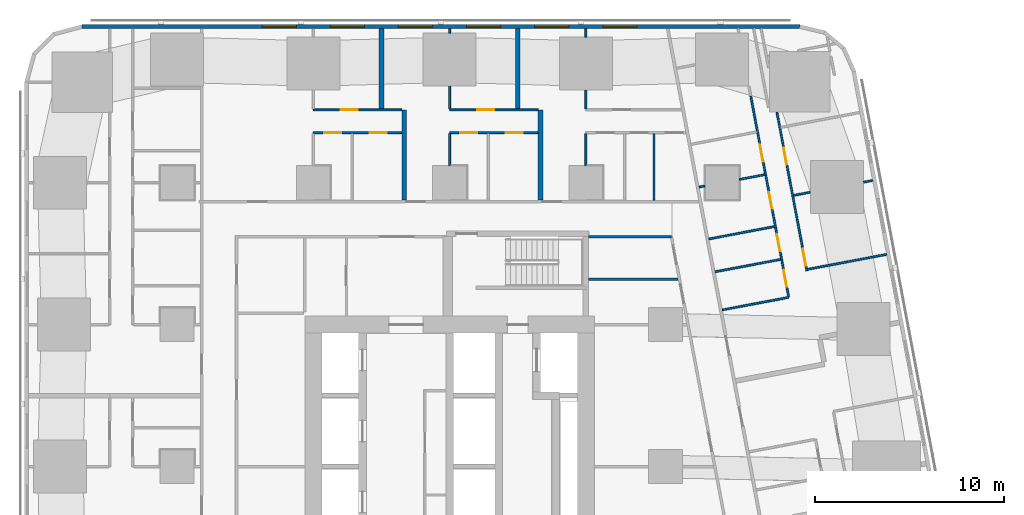
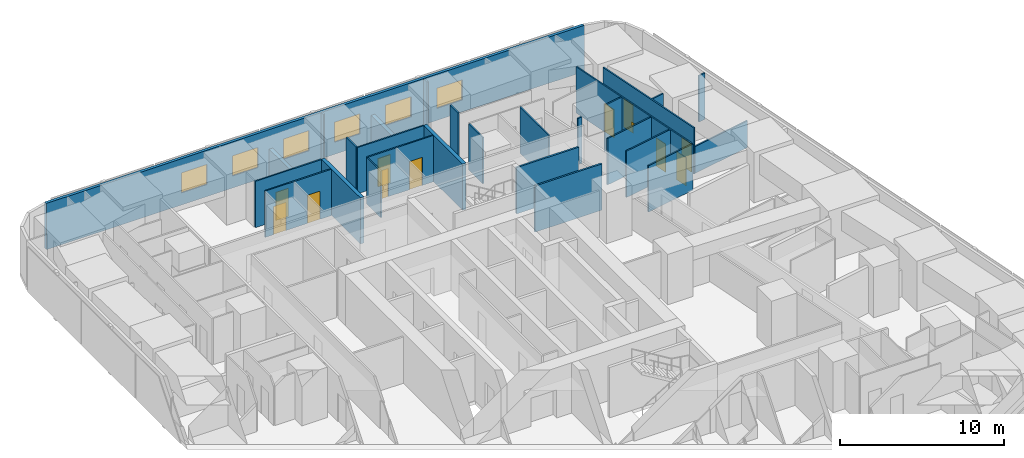
# One storey, part 9 of 15: 28 walls, 12 doors, 6 windows, 18 openings.
"""IFC4 building model written with IfcOpenShell, lengths in metres."""

from ifc_helpers import new_model, si_unit, direction, frame, frame_2d, origin, place, context, subcontext, project, spatial, rectangle, extrude, material, layer, layer_set, type_object, element, fill, save


model = new_model("IFC4")

# Units and contexts
model_context = context("Model", 3, precision=1e-05, world=origin(), true_north=direction((0.0, 1.0)))
body_context = subcontext(model_context, "Body", "Model", "MODEL_VIEW")
ifc_project = project(units=[si_unit("LENGTHUNIT", "METRE"), si_unit("AREAUNIT", "SQUARE_METRE"), si_unit("VOLUMEUNIT", "CUBIC_METRE"), si_unit("PLANEANGLEUNIT", "RADIAN"), si_unit("MASSUNIT", "GRAM", prefix="KILO")], contexts=[model_context])

# Site, building, storey
site_placement = place(None, origin())
site = spatial("IfcSite", under=ifc_project, at=site_placement, CompositionType="ELEMENT")
building_placement = place(site_placement, origin())
building = spatial("IfcBuilding", under=site, at=building_placement, Name="Sheger Commons Tower", CompositionType="ELEMENT")
storey_placement = place(building_placement, frame((0.0, 0.0, 68.75)))
storey = spatial("IfcBuildingStorey", under=building, at=storey_placement, Name="L17", CompositionType="ELEMENT", Elevation=68.75)

# Walls
ifc_material_1 = material(Name="Dense concrete block masonry, plastered both sides (separating wall between flats)", Category="masonry")
ifc_layer_1 = layer(ifc_material_1, 0.25)
ifc_layer_set_1 = layer_set([ifc_layer_1], Name="DEMISING WALL 250")
wall_type_1 = type_object("IfcWallType", Name="DEMISING WALL 250", PredefinedType="SOLIDWALL", material=ifc_layer_set_1)
wall_1_placement = place(storey_placement, frame((18.0, 41.39990234375, 0.0), z_axis=(0.0, 0.0, 1.0), x_axis=(0.0, 1.0, 0.0)))
element("IfcWall", 1, at=wall_1_placement, inside=storey, type_object=wall_type_1, Name="Demising wall L17", PredefinedType="SOLIDWALL", context=body_context, shape_type="SweptSolid", body=[
    extrude(rectangle(XDim=4.25, YDim=0.25, at=frame_2d((2.125, 0.0))), origin(), (0.0, 0.0, 1.0), 2.0),
])
wall_2_placement = place(storey_placement, frame((19.198974609375, 36.574951171875, 0.0), z_axis=(0.0, 0.0, 1.0), x_axis=(0.0, 1.0, 0.0)))
element("IfcWall", 2, at=wall_2_placement, inside=storey, type_object=wall_type_1, Name="Demising wall L17", PredefinedType="SOLIDWALL", context=body_context, shape_type="SweptSolid", body=[
    extrude(rectangle(XDim=4.775146484375, YDim=0.25, at=frame_2d((2.3876953125, 0.0))), origin(), (0.0, 0.0, 1.0), 3.449951171875),
])
wall_3_placement = place(storey_placement, frame((25.199951171875, 41.39990234375, 0.0), z_axis=(0.0, 0.0, 1.0), x_axis=(0.0, 1.0, 0.0)))
element("IfcWall", 3, at=wall_3_placement, inside=storey, type_object=wall_type_1, Name="Demising wall L17", PredefinedType="SOLIDWALL", context=body_context, shape_type="SweptSolid", body=[
    extrude(rectangle(XDim=4.25, YDim=0.25, at=frame_2d((2.125, 0.0))), origin(), (0.0, 0.0, 1.0), 2.0),
])
wall_4_placement = place(storey_placement, frame((26.39892578125, 36.574951171875, 0.0), z_axis=(0.0, 0.0, 1.0), x_axis=(0.0, 1.0, 0.0)))
element("IfcWall", 4, at=wall_4_placement, inside=storey, type_object=wall_type_1, Name="Demising wall L17", PredefinedType="SOLIDWALL", context=body_context, shape_type="SweptSolid", body=[
    extrude(rectangle(XDim=4.775146484375, YDim=0.25, at=frame_2d((2.3876953125, 0.0))), origin(), (0.0, 0.0, 1.0), 3.449951171875),
])

# Wall, openings, windows
ifc_material_2 = material(Name="Rendered concrete block masonry, dark grey", Category="masonry")
ifc_layer_2 = layer(ifc_material_2, 0.199951171875)
ifc_layer_set_2 = layer_set([ifc_layer_2], Name="FACADE WALL 200")
wall_type_2 = type_object("IfcWallType", Name="FACADE WALL 200", PredefinedType="SOLIDWALL", material=ifc_layer_set_2)
wall_5_placement = place(storey_placement, frame((40.10595703125, 45.75, 0.0), z_axis=(0.0, 0.0, 1.0), x_axis=(-1.0, 0.0, 0.0)))
wall_5 = element("IfcWall", 5, at=wall_5_placement, inside=storey, type_object=wall_type_2, Name="Facade wall L17", PredefinedType="SOLIDWALL", context=body_context, shape_type="SweptSolid", body=[
    extrude(rectangle(XDim=37.94287109375, YDim=0.199951171875, at=frame_2d((18.971435546875, 0.0))), origin(), (0.0, 0.0, 1.0), 3.449951171875),
])
opening_1_placement = place(wall_5_placement, frame((8.60595703125, 0.0, 0.89990234375)))
opening_1 = element("IfcOpeningElement", 6, at=opening_1_placement, cuts=wall_5, Name="Opening W2", PredefinedType="OPENING", context=body_context, shape_type="SweptSolid", body=[
    extrude(rectangle(XDim=1.800048828125, YDim=1.5, at=frame_2d((0.89990234375, 0.75))), frame((0.0, 0.10986328125, 0.0), z_axis=(0.0, -1.0, 0.0), x_axis=(1.0, 0.0, 0.0)), (0.0, 0.0, 1.0), 0.219970703125),
])
opening_2_placement = place(wall_5_placement, frame((12.2060546875, 0.0, 0.89990234375)))
opening_2 = element("IfcOpeningElement", 7, at=opening_2_placement, cuts=wall_5, Name="Opening W2", PredefinedType="OPENING", context=body_context, shape_type="SweptSolid", body=[
    extrude(rectangle(XDim=1.800048828125, YDim=1.5, at=frame_2d((0.89990234375, 0.75))), frame((0.0, 0.10986328125, 0.0), z_axis=(0.0, -1.0, 0.0), x_axis=(1.0, 0.0, 0.0)), (0.0, 0.0, 1.0), 0.219970703125),
])
opening_3_placement = place(wall_5_placement, frame((15.805908203125, 0.0, 0.89990234375)))
opening_3 = element("IfcOpeningElement", 8, at=opening_3_placement, cuts=wall_5, Name="Opening W2", PredefinedType="OPENING", context=body_context, shape_type="SweptSolid", body=[
    extrude(rectangle(XDim=1.800048828125, YDim=1.5, at=frame_2d((0.89990234375, 0.75))), frame((0.0, 0.10986328125, 0.0), z_axis=(0.0, -1.0, 0.0), x_axis=(1.0, 0.0, 0.0)), (0.0, 0.0, 1.0), 0.219970703125),
])
opening_4_placement = place(wall_5_placement, frame((19.406005859375, 0.0, 0.89990234375)))
opening_4 = element("IfcOpeningElement", 9, at=opening_4_placement, cuts=wall_5, Name="Opening W2", PredefinedType="OPENING", context=body_context, shape_type="SweptSolid", body=[
    extrude(rectangle(XDim=1.800048828125, YDim=1.5, at=frame_2d((0.89990234375, 0.75))), frame((0.0, 0.10986328125, 0.0), z_axis=(0.0, -1.0, 0.0), x_axis=(1.0, 0.0, 0.0)), (0.0, 0.0, 1.0), 0.219970703125),
])
opening_5_placement = place(wall_5_placement, frame((23.006103515625, 0.0, 0.89990234375)))
opening_5 = element("IfcOpeningElement", 10, at=opening_5_placement, cuts=wall_5, Name="Opening W2", PredefinedType="OPENING", context=body_context, shape_type="SweptSolid", body=[
    extrude(rectangle(XDim=1.800048828125, YDim=1.5, at=frame_2d((0.89990234375, 0.75))), frame((0.0, 0.10986328125, 0.0), z_axis=(0.0, -1.0, 0.0), x_axis=(1.0, 0.0, 0.0)), (0.0, 0.0, 1.0), 0.219970703125),
])
opening_6_placement = place(wall_5_placement, frame((26.60595703125, 0.0, 0.89990234375)))
opening_6 = element("IfcOpeningElement", 11, at=opening_6_placement, cuts=wall_5, Name="Opening W2", PredefinedType="OPENING", context=body_context, shape_type="SweptSolid", body=[
    extrude(rectangle(XDim=1.800048828125, YDim=1.5, at=frame_2d((0.89990234375, 0.75))), frame((0.0, 0.10986328125, 0.0), z_axis=(0.0, -1.0, 0.0), x_axis=(1.0, 0.0, 0.0)), (0.0, 0.0, 1.0), 0.219970703125),
])
ifc_material_3 = material(Name="Black aluminium frame, dark tinted double glazing", Category="aluminium")
window_type = type_object("IfcWindowType", Name="WINDOW W2 1800x1500", PartitioningType="SINGLE_PANEL", PredefinedType="WINDOW", material=ifc_material_3)
window_1_placement = place(opening_1_placement, origin())
window_1 = element("IfcWindow", 12, at=window_1_placement, inside=storey, type_object=window_type, Name="Window W2 1800X1500", OverallHeight=1.5, OverallWidth=1.800048828125, PartitioningType="SINGLE_PANEL", PredefinedType="WINDOW", context=body_context, shape_type="SweptSolid", body=[
    extrude(rectangle(XDim=1.800048828125, YDim=1.5, at=frame_2d((0.89990234375, 0.75))), frame((0.0, 0.030029296875, 0.0), z_axis=(0.0, -1.0, 0.0), x_axis=(1.0, 0.0, 0.0)), (0.0, 0.0, 1.0), 0.06005859375),
])
fill(opening_1, window_1)
window_2_placement = place(opening_2_placement, origin())
window_2 = element("IfcWindow", 13, at=window_2_placement, inside=storey, type_object=window_type, Name="Window W2 1800X1500", OverallHeight=1.5, OverallWidth=1.800048828125, PartitioningType="SINGLE_PANEL", PredefinedType="WINDOW", context=body_context, shape_type="SweptSolid", body=[
    extrude(rectangle(XDim=1.800048828125, YDim=1.5, at=frame_2d((0.89990234375, 0.75))), frame((0.0, 0.030029296875, 0.0), z_axis=(0.0, -1.0, 0.0), x_axis=(1.0, 0.0, 0.0)), (0.0, 0.0, 1.0), 0.06005859375),
])
fill(opening_2, window_2)
window_3_placement = place(opening_3_placement, origin())
window_3 = element("IfcWindow", 14, at=window_3_placement, inside=storey, type_object=window_type, Name="Window W2 1800X1500", OverallHeight=1.5, OverallWidth=1.800048828125, PartitioningType="SINGLE_PANEL", PredefinedType="WINDOW", context=body_context, shape_type="SweptSolid", body=[
    extrude(rectangle(XDim=1.800048828125, YDim=1.5, at=frame_2d((0.89990234375, 0.75))), frame((0.0, 0.030029296875, 0.0), z_axis=(0.0, -1.0, 0.0), x_axis=(1.0, 0.0, 0.0)), (0.0, 0.0, 1.0), 0.06005859375),
])
fill(opening_3, window_3)
window_4_placement = place(opening_4_placement, origin())
window_4 = element("IfcWindow", 15, at=window_4_placement, inside=storey, type_object=window_type, Name="Window W2 1800X1500", OverallHeight=1.5, OverallWidth=1.800048828125, PartitioningType="SINGLE_PANEL", PredefinedType="WINDOW", context=body_context, shape_type="SweptSolid", body=[
    extrude(rectangle(XDim=1.800048828125, YDim=1.5, at=frame_2d((0.89990234375, 0.75))), frame((0.0, 0.030029296875, 0.0), z_axis=(0.0, -1.0, 0.0), x_axis=(1.0, 0.0, 0.0)), (0.0, 0.0, 1.0), 0.06005859375),
])
fill(opening_4, window_4)
window_5_placement = place(opening_5_placement, origin())
window_5 = element("IfcWindow", 16, at=window_5_placement, inside=storey, type_object=window_type, Name="Window W2 1800X1500", OverallHeight=1.5, OverallWidth=1.800048828125, PartitioningType="SINGLE_PANEL", PredefinedType="WINDOW", context=body_context, shape_type="SweptSolid", body=[
    extrude(rectangle(XDim=1.800048828125, YDim=1.5, at=frame_2d((0.89990234375, 0.75))), frame((0.0, 0.030029296875, 0.0), z_axis=(0.0, -1.0, 0.0), x_axis=(1.0, 0.0, 0.0)), (0.0, 0.0, 1.0), 0.06005859375),
])
fill(opening_5, window_5)
window_6_placement = place(opening_6_placement, origin())
window_6 = element("IfcWindow", 17, at=window_6_placement, inside=storey, type_object=window_type, Name="Window W2 1800X1500", OverallHeight=1.5, OverallWidth=1.800048828125, PartitioningType="SINGLE_PANEL", PredefinedType="WINDOW", context=body_context, shape_type="SweptSolid", body=[
    extrude(rectangle(XDim=1.800048828125, YDim=1.5, at=frame_2d((0.89990234375, 0.75))), frame((0.0, 0.030029296875, 0.0), z_axis=(0.0, -1.0, 0.0), x_axis=(1.0, 0.0, 0.0)), (0.0, 0.0, 1.0), 0.06005859375),
])
fill(opening_6, window_6)

# Wall, openings, doors
ifc_material_4 = material(Name="Gypsum board on steel studs", Category="steel")
ifc_layer_3 = layer(ifc_material_4, 0.10009765625)
ifc_layer_set_3 = layer_set([ifc_layer_3], Name="PARTITION 100")
wall_type_3 = type_object("IfcWallType", Name="PARTITION 100", PredefinedType="PARTITIONING", material=ifc_layer_set_3)
wall_6_placement = place(storey_placement, frame((38.89990234375, 41.219970703125, 0.0), z_axis=(0.0, 0.0, 1.0), x_axis=(0.185595712897, -0.982626191059, 0.0)))
wall_6 = element("IfcWall", 18, at=wall_6_placement, inside=storey, type_object=wall_type_3, Name="Partition L17", PredefinedType="PARTITIONING", context=body_context, shape_type="SweptSolid", body=[
    extrude(rectangle(XDim=8.524169921875, YDim=0.10009765625, at=frame_2d((4.26220703125, 0.0))), origin(), (0.0, 0.0, 1.0), 3.449951171875),
])
opening_7_placement = place(wall_6_placement, frame((7.35205078125, 0.0, 0.0)))
opening_7 = element("IfcOpeningElement", 19, at=opening_7_placement, cuts=wall_6, Name="Opening D2", PredefinedType="OPENING", context=body_context, shape_type="SweptSolid", body=[
    extrude(rectangle(XDim=0.89990234375, YDim=2.10009765625, at=frame_2d((0.449951171875, 1.050048828125))), frame((0.0, 0.06005859375, 0.0), z_axis=(0.0, -1.0, 0.0), x_axis=(1.0, 0.0, 0.0)), (0.0, 0.0, 1.0), 0.1201171875),
])
opening_8_placement = place(wall_6_placement, frame((1.89990234375, 0.0, 0.0)))
opening_8 = element("IfcOpeningElement", 20, at=opening_8_placement, cuts=wall_6, Name="Opening D2", PredefinedType="OPENING", context=body_context, shape_type="SweptSolid", body=[
    extrude(rectangle(XDim=0.89990234375, YDim=2.10009765625, at=frame_2d((0.449951171875, 1.050048828125))), frame((0.0, 0.06005859375, 0.0), z_axis=(0.0, -1.0, 0.0), x_axis=(1.0, 0.0, 0.0)), (0.0, 0.0, 1.0), 0.1201171875),
])
ifc_material_5 = material(Name="Timber door set", Category="wood")
door_type = type_object("IfcDoorType", Name="INTERNAL DOOR 900x2100", OperationType="NOTDEFINED", PredefinedType="DOOR", material=ifc_material_5)
door_1_placement = place(opening_7_placement, origin())
door_1 = element("IfcDoor", 21, at=door_1_placement, inside=storey, type_object=door_type, Name="Main bedroom door", OperationType="SINGLE_SWING_RIGHT", OverallHeight=2.10009765625, OverallWidth=0.89990234375, PredefinedType="DOOR", context=body_context, shape_type="SweptSolid", body=[
    extrude(rectangle(XDim=0.89990234375, YDim=2.10009765625, at=frame_2d((0.449951171875, 1.050048828125))), frame((0.0, 0.02490234375, 0.0), z_axis=(0.0, -1.0, 0.0), x_axis=(1.0, 0.0, 0.0)), (0.0, 0.0, 1.0), 0.050048828125),
])
fill(opening_7, door_1)
door_2_placement = place(opening_8_placement, origin())
door_2 = element("IfcDoor", 22, at=door_2_placement, inside=storey, type_object=door_type, Name="Bedroom 2 door", OperationType="SINGLE_SWING_LEFT", OverallHeight=2.10009765625, OverallWidth=0.89990234375, PredefinedType="DOOR", context=body_context, shape_type="SweptSolid", body=[
    extrude(rectangle(XDim=0.89990234375, YDim=2.10009765625, at=frame_2d((0.449951171875, 1.050048828125))), frame((0.0, 0.02490234375, 0.0), z_axis=(0.0, -1.0, 0.0), x_axis=(1.0, 0.0, 0.0)), (0.0, 0.0, 1.0), 0.050048828125),
])
fill(opening_8, door_2)

wall_7_placement = place(storey_placement, frame((37.514892578125, 42.089111328125, 0.0), z_axis=(0.0, 0.0, 1.0), x_axis=(0.185565000991, -0.982631991341, 0.0)))
wall_7 = element("IfcWall", 23, at=wall_7_placement, inside=storey, type_object=wall_type_3, Name="Partition L17", PredefinedType="PARTITIONING", context=body_context, shape_type="SweptSolid", body=[
    extrude(rectangle(XDim=10.784423828125, YDim=0.10009765625, at=frame_2d((5.39208984375, 0.0))), origin(), (0.0, 0.0, 1.0), 3.449951171875),
])
opening_9_placement = place(wall_7_placement, frame((9.35791015625, 0.0, 0.0)))
opening_9 = element("IfcOpeningElement", 24, at=opening_9_placement, cuts=wall_7, Name="Opening D2", PredefinedType="OPENING", context=body_context, shape_type="SweptSolid", body=[
    extrude(rectangle(XDim=0.89990234375, YDim=2.10009765625, at=frame_2d((0.449951171875, 1.050048828125))), frame((0.0, 0.06005859375, 0.0), z_axis=(0.0, -1.0, 0.0), x_axis=(1.0, 0.0, 0.0)), (0.0, 0.0, 1.0), 0.1201171875),
])
opening_10_placement = place(wall_7_placement, frame((5.173095703125, 0.0, 0.0)))
opening_10 = element("IfcOpeningElement", 25, at=opening_10_placement, cuts=wall_7, Name="Opening D2", PredefinedType="OPENING", context=body_context, shape_type="SweptSolid", body=[
    extrude(rectangle(XDim=0.89990234375, YDim=2.10009765625, at=frame_2d((0.449951171875, 1.050048828125))), frame((0.0, 0.06005859375, 0.0), z_axis=(0.0, -1.0, 0.0), x_axis=(1.0, 0.0, 0.0)), (0.0, 0.0, 1.0), 0.1201171875),
])
opening_11_placement = place(wall_7_placement, frame((2.62890625, 0.0, 0.0)))
opening_11 = element("IfcOpeningElement", 26, at=opening_11_placement, cuts=wall_7, Name="Opening D2", PredefinedType="OPENING", context=body_context, shape_type="SweptSolid", body=[
    extrude(rectangle(XDim=0.89990234375, YDim=2.10009765625, at=frame_2d((0.449951171875, 1.050048828125))), frame((0.0, 0.06005859375, 0.0), z_axis=(0.0, -1.0, 0.0), x_axis=(1.0, 0.0, 0.0)), (0.0, 0.0, 1.0), 0.1201171875),
])
opening_12_placement = place(wall_7_placement, frame((7.450927734375, 0.0, 0.0)))
opening_12 = element("IfcOpeningElement", 27, at=opening_12_placement, cuts=wall_7, Name="Opening D2", PredefinedType="OPENING", context=body_context, shape_type="SweptSolid", body=[
    extrude(rectangle(XDim=0.89990234375, YDim=2.10009765625, at=frame_2d((0.449951171875, 1.050048828125))), frame((0.0, 0.06005859375, 0.0), z_axis=(0.0, -1.0, 0.0), x_axis=(1.0, 0.0, 0.0)), (0.0, 0.0, 1.0), 0.1201171875),
])
door_3_placement = place(opening_9_placement, origin())
door_3 = element("IfcDoor", 28, at=door_3_placement, inside=storey, type_object=door_type, Name="Bathroom door", OperationType="SINGLE_SWING_LEFT", OverallHeight=2.10009765625, OverallWidth=0.89990234375, PredefinedType="DOOR", context=body_context, shape_type="SweptSolid", body=[
    extrude(rectangle(XDim=0.89990234375, YDim=2.10009765625, at=frame_2d((0.449951171875, 1.050048828125))), frame((0.0, 0.02490234375, 0.0), z_axis=(0.0, -1.0, 0.0), x_axis=(1.0, 0.0, 0.0)), (0.0, 0.0, 1.0), 0.050048828125),
])
fill(opening_9, door_3)
door_4_placement = place(opening_10_placement, origin())
door_4 = element("IfcDoor", 29, at=door_4_placement, inside=storey, type_object=door_type, Name="Store and laundry door", OperationType="SINGLE_SWING_RIGHT", OverallHeight=2.10009765625, OverallWidth=0.89990234375, PredefinedType="DOOR", context=body_context, shape_type="SweptSolid", body=[
    extrude(rectangle(XDim=0.89990234375, YDim=2.10009765625, at=frame_2d((0.449951171875, 1.050048828125))), frame((0.0, 0.02490234375, 0.0), z_axis=(0.0, -1.0, 0.0), x_axis=(1.0, 0.0, 0.0)), (0.0, 0.0, 1.0), 0.050048828125),
])
fill(opening_10, door_4)
door_5_placement = place(opening_11_placement, origin())
door_5 = element("IfcDoor", 30, at=door_5_placement, inside=storey, type_object=door_type, Name="Laundry room door", OperationType="SINGLE_SWING_RIGHT", OverallHeight=2.10009765625, OverallWidth=0.89990234375, PredefinedType="DOOR", context=body_context, shape_type="SweptSolid", body=[
    extrude(rectangle(XDim=0.89990234375, YDim=2.10009765625, at=frame_2d((0.449951171875, 1.050048828125))), frame((0.0, 0.02490234375, 0.0), z_axis=(0.0, -1.0, 0.0), x_axis=(1.0, 0.0, 0.0)), (0.0, 0.0, 1.0), 0.050048828125),
])
fill(opening_11, door_5)
door_6_placement = place(opening_12_placement, origin())
door_6 = element("IfcDoor", 31, at=door_6_placement, inside=storey, type_object=door_type, Name="Store door", OperationType="SINGLE_SWING_LEFT", OverallHeight=2.10009765625, OverallWidth=0.89990234375, PredefinedType="DOOR", context=body_context, shape_type="SweptSolid", body=[
    extrude(rectangle(XDim=0.89990234375, YDim=2.10009765625, at=frame_2d((0.449951171875, 1.050048828125))), frame((0.0, 0.02490234375, 0.0), z_axis=(0.0, -1.0, 0.0), x_axis=(1.0, 0.0, 0.0)), (0.0, 0.0, 1.0), 0.050048828125),
])
fill(opening_12, door_6)

# Walls
wall_8_placement = place(storey_placement, frame((43.955078125, 37.6201171875, 0.0), z_axis=(0.0, 0.0, 1.0), x_axis=(-0.982543152073, -0.186034820164, 0.0)))
element("IfcWall", 32, at=wall_8_placement, inside=storey, type_object=wall_type_3, Name="Partition L17", PredefinedType="PARTITIONING", context=body_context, shape_type="SweptSolid", body=[
    extrude(rectangle(XDim=0.489501953125, YDim=0.10009765625, at=frame_2d((0.24462890625, 0.0))), origin(), (0.0, 0.0, 1.0), 3.449951171875),
])
wall_9_placement = place(storey_placement, frame((40.654052734375, 36.99609375, 0.0), z_axis=(0.0, 0.0, 1.0), x_axis=(-0.982635224332, -0.185547880349, 0.0)))
element("IfcWall", 33, at=wall_9_placement, inside=storey, type_object=wall_type_3, Name="Partition L17", PredefinedType="PARTITIONING", context=body_context, shape_type="SweptSolid", body=[
    extrude(rectangle(XDim=0.889404296875, YDim=0.10009765625, at=frame_2d((0.44482421875, 0.0))), origin(), (0.0, 0.0, 1.0), 3.449951171875),
])
wall_10_placement = place(storey_placement, frame((44.693115234375, 33.712890625, 0.0), z_axis=(0.0, 0.0, 1.0), x_axis=(-0.982615600536, -0.185651775062, 0.0)))
element("IfcWall", 34, at=wall_10_placement, inside=storey, type_object=wall_type_3, Name="Partition L17", PredefinedType="PARTITIONING", context=body_context, shape_type="SweptSolid", body=[
    extrude(rectangle(XDim=4.2490234375, YDim=0.10009765625, at=frame_2d((2.12451171875, 0.0))), origin(), (0.0, 0.0, 1.0), 2.0),
])
wall_11_placement = place(storey_placement, frame((38.25, 37.925048828125, 0.0), z_axis=(0.0, 0.0, 1.0), x_axis=(-0.982650574676, -0.185466568658, 0.0)))
element("IfcWall", 35, at=wall_11_placement, inside=storey, type_object=wall_type_3, Name="Partition L17", PredefinedType="PARTITIONING", context=body_context, shape_type="SweptSolid", body=[
    extrude(rectangle(XDim=1.36376953125, YDim=0.10009765625, at=frame_2d((0.681884765625, 0.0))), origin(), (0.0, 0.0, 1.0), 3.449951171875),
])
wall_12_placement = place(storey_placement, frame((35.090087890625, 37.327880859375, 0.0), z_axis=(0.0, 0.0, 1.0), x_axis=(-0.982961380226, -0.183812200315, 0.0)))
element("IfcWall", 36, at=wall_12_placement, inside=storey, type_object=wall_type_3, Name="Partition L17", PredefinedType="PARTITIONING", context=body_context, shape_type="SweptSolid", body=[
    extrude(rectangle(XDim=0.3095703125, YDim=0.10009765625, at=frame_2d((0.15478515625, 0.0))), origin(), (0.0, 0.0, 1.0), 3.449951171875),
])
wall_13_placement = place(storey_placement, frame((39.52490234375, 31.443115234375, 0.0), z_axis=(0.0, 0.0, 1.0), x_axis=(-0.982648035033, -0.185480023848, 0.0)))
element("IfcWall", 37, at=wall_13_placement, inside=storey, type_object=wall_type_3, Name="Partition L17", PredefinedType="PARTITIONING", context=body_context, shape_type="SweptSolid", body=[
    extrude(rectangle(XDim=3.574951171875, YDim=0.10009765625, at=frame_2d((1.78759765625, 0.0))), origin(), (0.0, 0.0, 1.0), 3.449951171875),
])
wall_14_placement = place(storey_placement, frame((38.76708984375, 35.18408203125, 0.0), z_axis=(0.0, 0.0, 1.0), x_axis=(-0.982578451485, -0.185848289414, 0.0)))
element("IfcWall", 38, at=wall_14_placement, inside=storey, type_object=wall_type_3, Name="Partition L17", PredefinedType="PARTITIONING", context=body_context, shape_type="SweptSolid", body=[
    extrude(rectangle(XDim=3.524658203125, YDim=0.10009765625, at=frame_2d((1.76220703125, 0.0))), origin(), (0.0, 0.0, 1.0), 3.449951171875),
])
wall_15_placement = place(storey_placement, frame((39.094970703125, 33.447998046875, 0.0), z_axis=(0.0, 0.0, 1.0), x_axis=(-0.982626628545, -0.185593396635, 0.0)))
element("IfcWall", 39, at=wall_15_placement, inside=storey, type_object=wall_type_3, Name="Partition L17", PredefinedType="PARTITIONING", context=body_context, shape_type="SweptSolid", body=[
    extrude(rectangle(XDim=3.524169921875, YDim=0.10009765625, at=frame_2d((1.76220703125, 0.0))), origin(), (0.0, 0.0, 1.0), 3.449951171875),
])

# Wall, opening, door
wall_16_placement = place(storey_placement, frame((14.39990234375, 41.35009765625, 0.0), z_axis=(0.0, 0.0, 1.0), x_axis=(1.0, 0.0, 0.0)))
wall_16 = element("IfcWall", 40, at=wall_16_placement, inside=storey, type_object=wall_type_3, Name="Partition L17", PredefinedType="PARTITIONING", context=body_context, shape_type="SweptSolid", body=[
    extrude(rectangle(XDim=4.674072265625, YDim=0.10009765625, at=frame_2d((2.3369140625, 0.0))), origin(), (0.0, 0.0, 1.0), 3.449951171875),
])
opening_13_placement = place(wall_16_placement, frame((1.449951171875, 0.0, 0.0)))
opening_13 = element("IfcOpeningElement", 41, at=opening_13_placement, cuts=wall_16, Name="Opening D2", PredefinedType="OPENING", context=body_context, shape_type="SweptSolid", body=[
    extrude(rectangle(XDim=0.89990234375, YDim=2.10009765625, at=frame_2d((0.449951171875, 1.050048828125))), frame((0.0, 0.06005859375, 0.0), z_axis=(0.0, -1.0, 0.0), x_axis=(1.0, 0.0, 0.0)), (0.0, 0.0, 1.0), 0.1201171875),
])
door_7_placement = place(opening_13_placement, origin())
door_7 = element("IfcDoor", 42, at=door_7_placement, inside=storey, type_object=door_type, Name="Main bedroom door", OperationType="SINGLE_SWING_LEFT", OverallHeight=2.10009765625, OverallWidth=0.89990234375, PredefinedType="DOOR", context=body_context, shape_type="SweptSolid", body=[
    extrude(rectangle(XDim=0.89990234375, YDim=2.10009765625, at=frame_2d((0.449951171875, 1.050048828125))), frame((0.0, 0.02490234375, 0.0), z_axis=(0.0, -1.0, 0.0), x_axis=(1.0, 0.0, 0.0)), (0.0, 0.0, 1.0), 0.050048828125),
])
fill(opening_13, door_7)

# Wall, openings, doors
wall_17_placement = place(storey_placement, frame((14.39990234375, 40.14990234375, 0.0), z_axis=(0.0, 0.0, 1.0), x_axis=(1.0, 0.0, 0.0)))
wall_17 = element("IfcWall", 43, at=wall_17_placement, inside=storey, type_object=wall_type_3, Name="Partition L17", PredefinedType="PARTITIONING", context=body_context, shape_type="SweptSolid", body=[
    extrude(rectangle(XDim=4.674072265625, YDim=0.10009765625, at=frame_2d((2.3369140625, 0.0))), origin(), (0.0, 0.0, 1.0), 3.449951171875),
])
opening_14_placement = place(wall_17_placement, frame((0.574951171875, 0.0, 0.0)))
opening_14 = element("IfcOpeningElement", 44, at=opening_14_placement, cuts=wall_17, Name="Opening D2", PredefinedType="OPENING", context=body_context, shape_type="SweptSolid", body=[
    extrude(rectangle(XDim=0.89990234375, YDim=2.10009765625, at=frame_2d((0.449951171875, 1.050048828125))), frame((0.0, 0.06005859375, 0.0), z_axis=(0.0, -1.0, 0.0), x_axis=(1.0, 0.0, 0.0)), (0.0, 0.0, 1.0), 0.1201171875),
])
opening_15_placement = place(wall_17_placement, frame((2.97509765625, 0.0, 0.0)))
opening_15 = element("IfcOpeningElement", 45, at=opening_15_placement, cuts=wall_17, Name="Opening D2", PredefinedType="OPENING", context=body_context, shape_type="SweptSolid", body=[
    extrude(rectangle(XDim=0.89990234375, YDim=2.10009765625, at=frame_2d((0.449951171875, 1.050048828125))), frame((0.0, 0.06005859375, 0.0), z_axis=(0.0, -1.0, 0.0), x_axis=(1.0, 0.0, 0.0)), (0.0, 0.0, 1.0), 0.1201171875),
])
door_8_placement = place(opening_14_placement, origin())
door_8 = element("IfcDoor", 46, at=door_8_placement, inside=storey, type_object=door_type, Name="Bathroom door", OperationType="SINGLE_SWING_RIGHT", OverallHeight=2.10009765625, OverallWidth=0.89990234375, PredefinedType="DOOR", context=body_context, shape_type="SweptSolid", body=[
    extrude(rectangle(XDim=0.89990234375, YDim=2.10009765625, at=frame_2d((0.449951171875, 1.050048828125))), frame((0.0, 0.02490234375, 0.0), z_axis=(0.0, -1.0, 0.0), x_axis=(1.0, 0.0, 0.0)), (0.0, 0.0, 1.0), 0.050048828125),
])
fill(opening_14, door_8)
door_9_placement = place(opening_15_placement, origin())
door_9 = element("IfcDoor", 47, at=door_9_placement, inside=storey, type_object=door_type, Name="Store door", OperationType="SINGLE_SWING_LEFT", OverallHeight=2.10009765625, OverallWidth=0.89990234375, PredefinedType="DOOR", context=body_context, shape_type="SweptSolid", body=[
    extrude(rectangle(XDim=0.89990234375, YDim=2.10009765625, at=frame_2d((0.449951171875, 1.050048828125))), frame((0.0, 0.02490234375, 0.0), z_axis=(0.0, -1.0, 0.0), x_axis=(1.0, 0.0, 0.0)), (0.0, 0.0, 1.0), 0.050048828125),
])
fill(opening_15, door_9)

# Wall, opening, door
wall_18_placement = place(storey_placement, frame((21.60009765625, 41.35009765625, 0.0), z_axis=(0.0, 0.0, 1.0), x_axis=(1.0, 0.0, 0.0)))
wall_18 = element("IfcWall", 48, at=wall_18_placement, inside=storey, type_object=wall_type_3, Name="Partition L17", PredefinedType="PARTITIONING", context=body_context, shape_type="SweptSolid", body=[
    extrude(rectangle(XDim=4.673828125, YDim=0.10009765625, at=frame_2d((2.3369140625, 0.0))), origin(), (0.0, 0.0, 1.0), 3.449951171875),
])
opening_16_placement = place(wall_18_placement, frame((1.449951171875, 0.0, 0.0)))
opening_16 = element("IfcOpeningElement", 49, at=opening_16_placement, cuts=wall_18, Name="Opening D2", PredefinedType="OPENING", context=body_context, shape_type="SweptSolid", body=[
    extrude(rectangle(XDim=0.89990234375, YDim=2.10009765625, at=frame_2d((0.449951171875, 1.050048828125))), frame((0.0, 0.06005859375, 0.0), z_axis=(0.0, -1.0, 0.0), x_axis=(1.0, 0.0, 0.0)), (0.0, 0.0, 1.0), 0.1201171875),
])
door_10_placement = place(opening_16_placement, origin())
door_10 = element("IfcDoor", 50, at=door_10_placement, inside=storey, type_object=door_type, Name="Main bedroom door", OperationType="SINGLE_SWING_RIGHT", OverallHeight=2.10009765625, OverallWidth=0.89990234375, PredefinedType="DOOR", context=body_context, shape_type="SweptSolid", body=[
    extrude(rectangle(XDim=0.89990234375, YDim=2.10009765625, at=frame_2d((0.449951171875, 1.050048828125))), frame((0.0, 0.02490234375, 0.0), z_axis=(0.0, -1.0, 0.0), x_axis=(1.0, 0.0, 0.0)), (0.0, 0.0, 1.0), 0.050048828125),
])
fill(opening_16, door_10)

# Wall, openings, doors
wall_19_placement = place(storey_placement, frame((21.60009765625, 40.14990234375, 0.0), z_axis=(0.0, 0.0, 1.0), x_axis=(1.0, 0.0, 0.0)))
wall_19 = element("IfcWall", 51, at=wall_19_placement, inside=storey, type_object=wall_type_3, Name="Partition L17", PredefinedType="PARTITIONING", context=body_context, shape_type="SweptSolid", body=[
    extrude(rectangle(XDim=4.673828125, YDim=0.10009765625, at=frame_2d((2.3369140625, 0.0))), origin(), (0.0, 0.0, 1.0), 3.449951171875),
])
opening_17_placement = place(wall_19_placement, frame((0.574951171875, 0.0, 0.0)))
opening_17 = element("IfcOpeningElement", 52, at=opening_17_placement, cuts=wall_19, Name="Opening D2", PredefinedType="OPENING", context=body_context, shape_type="SweptSolid", body=[
    extrude(rectangle(XDim=0.89990234375, YDim=2.10009765625, at=frame_2d((0.449951171875, 1.050048828125))), frame((0.0, 0.06005859375, 0.0), z_axis=(0.0, -1.0, 0.0), x_axis=(1.0, 0.0, 0.0)), (0.0, 0.0, 1.0), 0.1201171875),
])
opening_18_placement = place(wall_19_placement, frame((2.97412109375, 0.0, 0.0)))
opening_18 = element("IfcOpeningElement", 53, at=opening_18_placement, cuts=wall_19, Name="Opening D2", PredefinedType="OPENING", context=body_context, shape_type="SweptSolid", body=[
    extrude(rectangle(XDim=0.89990234375, YDim=2.10009765625, at=frame_2d((0.449951171875, 1.050048828125))), frame((0.0, 0.06005859375, 0.0), z_axis=(0.0, -1.0, 0.0), x_axis=(1.0, 0.0, 0.0)), (0.0, 0.0, 1.0), 0.1201171875),
])
door_11_placement = place(opening_17_placement, origin())
door_11 = element("IfcDoor", 54, at=door_11_placement, inside=storey, type_object=door_type, Name="Bathroom door", OperationType="SINGLE_SWING_RIGHT", OverallHeight=2.10009765625, OverallWidth=0.89990234375, PredefinedType="DOOR", context=body_context, shape_type="SweptSolid", body=[
    extrude(rectangle(XDim=0.89990234375, YDim=2.10009765625, at=frame_2d((0.449951171875, 1.050048828125))), frame((0.0, 0.02490234375, 0.0), z_axis=(0.0, -1.0, 0.0), x_axis=(1.0, 0.0, 0.0)), (0.0, 0.0, 1.0), 0.050048828125),
])
fill(opening_17, door_11)
door_12_placement = place(opening_18_placement, origin())
door_12 = element("IfcDoor", 55, at=door_12_placement, inside=storey, type_object=door_type, Name="Store door", OperationType="SINGLE_SWING_LEFT", OverallHeight=2.10009765625, OverallWidth=0.89990234375, PredefinedType="DOOR", context=body_context, shape_type="SweptSolid", body=[
    extrude(rectangle(XDim=0.89990234375, YDim=2.10009765625, at=frame_2d((0.449951171875, 1.050048828125))), frame((0.0, 0.02490234375, 0.0), z_axis=(0.0, -1.0, 0.0), x_axis=(1.0, 0.0, 0.0)), (0.0, 0.0, 1.0), 0.050048828125),
])
fill(opening_18, door_12)

# Walls
wall_20_placement = place(storey_placement, frame((21.60009765625, 41.39990234375, 0.0), z_axis=(0.0, 0.0, 1.0), x_axis=(0.0, 1.0, 0.0)))
element("IfcWall", 56, at=wall_20_placement, inside=storey, type_object=wall_type_3, Name="Partition L17", PredefinedType="PARTITIONING", context=body_context, shape_type="SweptSolid", body=[
    extrude(rectangle(XDim=1.19921875, YDim=0.10009765625, at=frame_2d((0.599609375, 0.0))), origin(), (0.0, 0.0, 1.0), 3.449951171875),
])
wall_21_placement = place(storey_placement, frame((21.60009765625, 45.40087890625, 0.0), z_axis=(0.0, 0.0, 1.0), x_axis=(0.0, 1.0, 0.0)))
element("IfcWall", 57, at=wall_21_placement, inside=storey, type_object=wall_type_3, Name="Partition L17", PredefinedType="PARTITIONING", context=body_context, shape_type="SweptSolid", body=[
    extrude(rectangle(XDim=0.2490234375, YDim=0.10009765625, at=frame_2d((0.12451171875, 0.0))), origin(), (0.0, 0.0, 1.0), 3.449951171875),
])
wall_22_placement = place(storey_placement, frame((21.60009765625, 38.40087890625, 0.0), z_axis=(0.0, 0.0, 1.0), x_axis=(0.0, 1.0, 0.0)))
element("IfcWall", 58, at=wall_22_placement, inside=storey, type_object=wall_type_3, Name="Partition L17", PredefinedType="PARTITIONING", context=body_context, shape_type="SweptSolid", body=[
    extrude(rectangle(XDim=1.69921875, YDim=0.10009765625, at=frame_2d((0.849609375, 0.0))), origin(), (0.0, 0.0, 1.0), 3.449951171875),
])
wall_23_placement = place(storey_placement, frame((28.800048828125, 41.39990234375, 0.0), z_axis=(0.0, 0.0, 1.0), x_axis=(0.0, 1.0, 0.0)))
element("IfcWall", 59, at=wall_23_placement, inside=storey, type_object=wall_type_3, Name="Partition L17", PredefinedType="PARTITIONING", context=body_context, shape_type="SweptSolid", body=[
    extrude(rectangle(XDim=0.9990234375, YDim=0.10009765625, at=frame_2d((0.49951171875, 0.0))), origin(), (0.0, 0.0, 1.0), 3.449951171875),
])
wall_24_placement = place(storey_placement, frame((28.800048828125, 45.200927734375, 0.0), z_axis=(0.0, 0.0, 1.0), x_axis=(0.0, 1.0, 0.0)))
element("IfcWall", 60, at=wall_24_placement, inside=storey, type_object=wall_type_3, Name="Partition L17", PredefinedType="PARTITIONING", context=body_context, shape_type="SweptSolid", body=[
    extrude(rectangle(XDim=0.448974609375, YDim=0.10009765625, at=frame_2d((0.224609375, 0.0))), origin(), (0.0, 0.0, 1.0), 3.449951171875),
])
wall_25_placement = place(storey_placement, frame((28.800048828125, 38.40087890625, 0.0), z_axis=(0.0, 0.0, 1.0), x_axis=(0.0, 1.0, 0.0)))
element("IfcWall", 61, at=wall_25_placement, inside=storey, type_object=wall_type_3, Name="Partition L17", PredefinedType="PARTITIONING", context=body_context, shape_type="SweptSolid", body=[
    extrude(rectangle(XDim=1.69921875, YDim=0.10009765625, at=frame_2d((0.849609375, 0.0))), origin(), (0.0, 0.0, 1.0), 3.449951171875),
])
wall_26_placement = place(storey_placement, frame((32.39990234375, 36.574951171875, 0.0), z_axis=(0.0, 0.0, 1.0), x_axis=(0.0, 1.0, 0.0)))
element("IfcWall", 62, at=wall_26_placement, inside=storey, type_object=wall_type_3, Name="Partition L17", PredefinedType="PARTITIONING", context=body_context, shape_type="SweptSolid", body=[
    extrude(rectangle(XDim=3.525146484375, YDim=0.10009765625, at=frame_2d((1.7626953125, 0.0))), origin(), (0.0, 0.0, 1.0), 3.449951171875),
])
ifc_material_6 = material(Name="Gypsum board on steel studs, two layers each side, fire rated", Category="steel")
ifc_layer_4 = layer(ifc_material_6, 0.125)
ifc_layer_set_4 = layer_set([ifc_layer_4], Name="SERVICE WALL 125")
wall_type_4 = type_object("IfcWallType", Name="SERVICE WALL 125", PredefinedType="PARTITIONING", material=ifc_layer_set_4)
wall_27_placement = place(storey_placement, frame((28.949951171875, 34.64990234375, 0.0), z_axis=(0.0, 0.0, 1.0), x_axis=(1.0, 0.0, 0.0)))
element("IfcWall", 63, at=wall_27_placement, inside=storey, type_object=wall_type_4, Name="Service room wall L17", PredefinedType="PARTITIONING", context=body_context, shape_type="SweptSolid", body=[
    extrude(rectangle(XDim=4.381103515625, YDim=0.125, at=frame_2d((2.1904296875, 0.0))), origin(), (0.0, 0.0, 1.0), 3.449951171875),
])
wall_28_placement = place(storey_placement, frame((28.949951171875, 32.39990234375, 0.0), z_axis=(0.0, 0.0, 1.0), x_axis=(1.0, 0.0, 0.0)))
element("IfcWall", 64, at=wall_28_placement, inside=storey, type_object=wall_type_4, Name="Service room wall L17", PredefinedType="PARTITIONING", context=body_context, shape_type="SweptSolid", body=[
    extrude(rectangle(XDim=4.72216796875, YDim=0.125, at=frame_2d((2.361083984375, 0.0))), origin(), (0.0, 0.0, 1.0), 3.449951171875),
])

save(model, "model.ifc")
